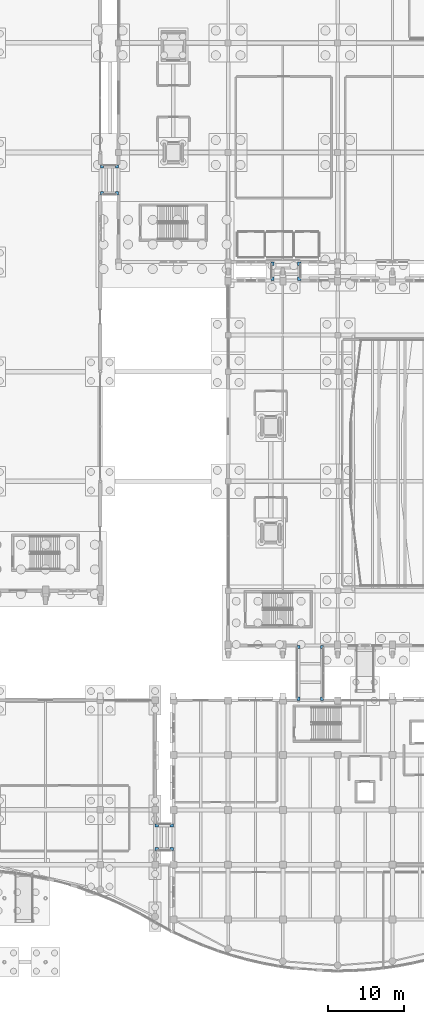
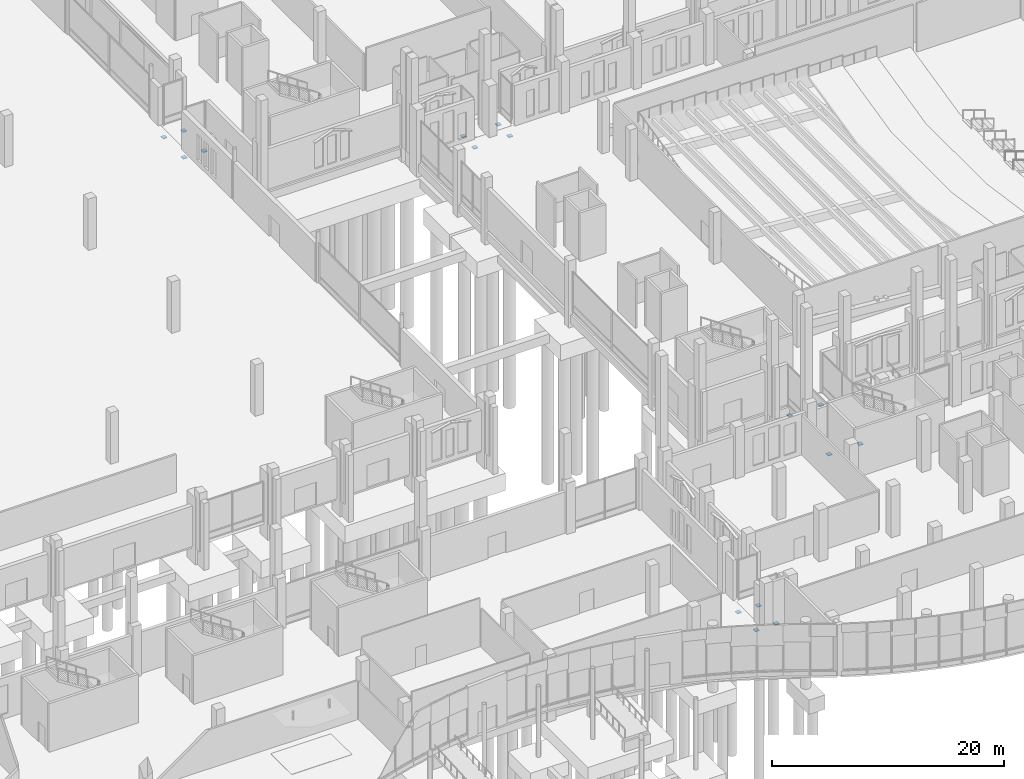
# One storey, part 157 of 192: 16 discrete accessories.
"""IFC4 building model written with IfcOpenShell, lengths in metres."""

from ifc_helpers import new_model, si_unit, direction, frame, origin, origin_2d, place, context, subcontext, project, spatial, rectangle, extrude, material, type_object, element, save


model = new_model("IFC4")

# Units and contexts
model_context = context("Model", 3, precision=1e-05, world=origin(), true_north=direction((0.0, 1.0)))
body_context = subcontext(model_context, "Body", "Model", "MODEL_VIEW")
ifc_project = project(units=[si_unit("LENGTHUNIT", "METRE"), si_unit("AREAUNIT", "SQUARE_METRE"), si_unit("VOLUMEUNIT", "CUBIC_METRE"), si_unit("PLANEANGLEUNIT", "RADIAN"), si_unit("MASSUNIT", "GRAM", prefix="KILO")], contexts=[model_context])

# Site, building, storey
site_placement = place(None, origin())
site = spatial("IfcSite", under=ifc_project, at=site_placement, CompositionType="ELEMENT")
building_placement = place(site_placement, origin())
building = spatial("IfcBuilding", under=site, at=building_placement, Name="Cendralis Lancet Convention Centre", CompositionType="ELEMENT")
storey_placement = place(building_placement, origin())
storey = spatial("IfcBuildingStorey", under=building, at=storey_placement, Name="L00", CompositionType="ELEMENT", Elevation=0.0)

# Discrete accessories
ifc_material = material(Name="Elastomeric-PTFE sliding bridge bearing")
discrete_accessory_type = type_object("IfcDiscreteAccessoryType", Name="STR-BRG-PTFE", PredefinedType="SHOE", material=ifc_material)
for number, where, z_axis, x_axis, name in (
    (1, (122.610107421875, 102.64990234375, -1.199951171875), (0.0, 0.0, 1.0), (1.0, 0.0, 0.0), "Unguided PTFE Sliding Bridge Bearing SB-PTFE #001"),
    (2, (124.590087890625, 102.64990234375, -1.199951171875), (0.0, 0.0, 1.0), (1.0, 0.0, 0.0), "Unguided PTFE Sliding Bridge Bearing SB-PTFE #002"),
    (3, (122.610107421875, 106.14990234375, -1.199951171875), (0.0, 0.0, 1.0), (1.0, 0.0, 0.0), "Unguided PTFE Sliding Bridge Bearing SB-PTFE #003"),
    (4, (124.590087890625, 106.14990234375, -1.199951171875), (0.0, 0.0, 1.0), (1.0, 0.0, 0.0), "Unguided PTFE Sliding Bridge Bearing SB-PTFE #004"),
    (5, (145.050048828125, 91.409912109375, -1.199951171875), (0.0, 0.0, 1.0), (1.0, 0.0, 0.0), "Unguided PTFE Sliding Bridge Bearing SB-PTFE #013"),
    (6, (145.050048828125, 93.389892578125, -1.199951171875), (0.0, 0.0, 1.0), (1.0, 0.0, 0.0), "Unguided PTFE Sliding Bridge Bearing SB-PTFE #014"),
    (7, (148.550048828125, 91.409912109375, -1.199951171875), (0.0, 0.0, 1.0), (1.0, 0.0, 0.0), "Unguided PTFE Sliding Bridge Bearing SB-PTFE #015"),
    (8, (148.550048828125, 93.389892578125, -1.199951171875), (0.0, 0.0, 1.0), (1.0, 0.0, 0.0), "Unguided PTFE Sliding Bridge Bearing SB-PTFE #016"),
    (9, (129.81005859375, 16.449951171875, -1.199951171875), (0.0, 0.0, 1.0), (1.0, 0.0, 0.0), "Unguided PTFE Sliding Bridge Bearing SB-PTFE #029"),
    (10, (131.7900390625, 16.449951171875, -1.199951171875), (0.0, 0.0, 1.0), (1.0, 0.0, 0.0), "Unguided PTFE Sliding Bridge Bearing SB-PTFE #030"),
    (11, (129.81005859375, 19.550048828125, -1.199951171875), (0.0, 0.0, 1.0), (1.0, 0.0, 0.0), "Unguided PTFE Sliding Bridge Bearing SB-PTFE #031"),
    (12, (131.7900390625, 19.550048828125, -1.199951171875), (0.0, 0.0, 1.0), (1.0, 0.0, 0.0), "Unguided PTFE Sliding Bridge Bearing SB-PTFE #032"),
    (13, (148.449951171875, 36.2099609375, -1.199951171875), (0.0, 0.0, 1.0), (1.0, 0.0, 0.0), "Unguided PTFE Sliding Bridge Bearing SB-PTFE #057"),
    (14, (148.449951171875, 42.989990234375, -1.199951171875), (0.0, 0.0, 1.0), (1.0, 0.0, 0.0), "Unguided PTFE Sliding Bridge Bearing SB-PTFE #058"),
    (15, (151.550048828125, 36.2099609375, -1.199951171875), (0.0, 0.0, 1.0), (1.0, 0.0, 0.0), "Unguided PTFE Sliding Bridge Bearing SB-PTFE #059"),
    (16, (151.550048828125, 42.989990234375, -1.199951171875), (0.0, 0.0, 1.0), (1.0, 0.0, 0.0), "Unguided PTFE Sliding Bridge Bearing SB-PTFE #060"),
):
    element("IfcDiscreteAccessory", number, at=place(storey_placement, frame(where, z_axis=z_axis, x_axis=x_axis)), inside=storey, type_object=discrete_accessory_type, Name=name, PredefinedType="SHOE", context=body_context, shape_type="SweptSolid", body=[
        extrude(rectangle(XDim=0.419921875, YDim=0.419921875, at=origin_2d()), origin(), (0.0, 0.0, 1.0), 0.080078125),
    ])

save(model, "model.ifc")
